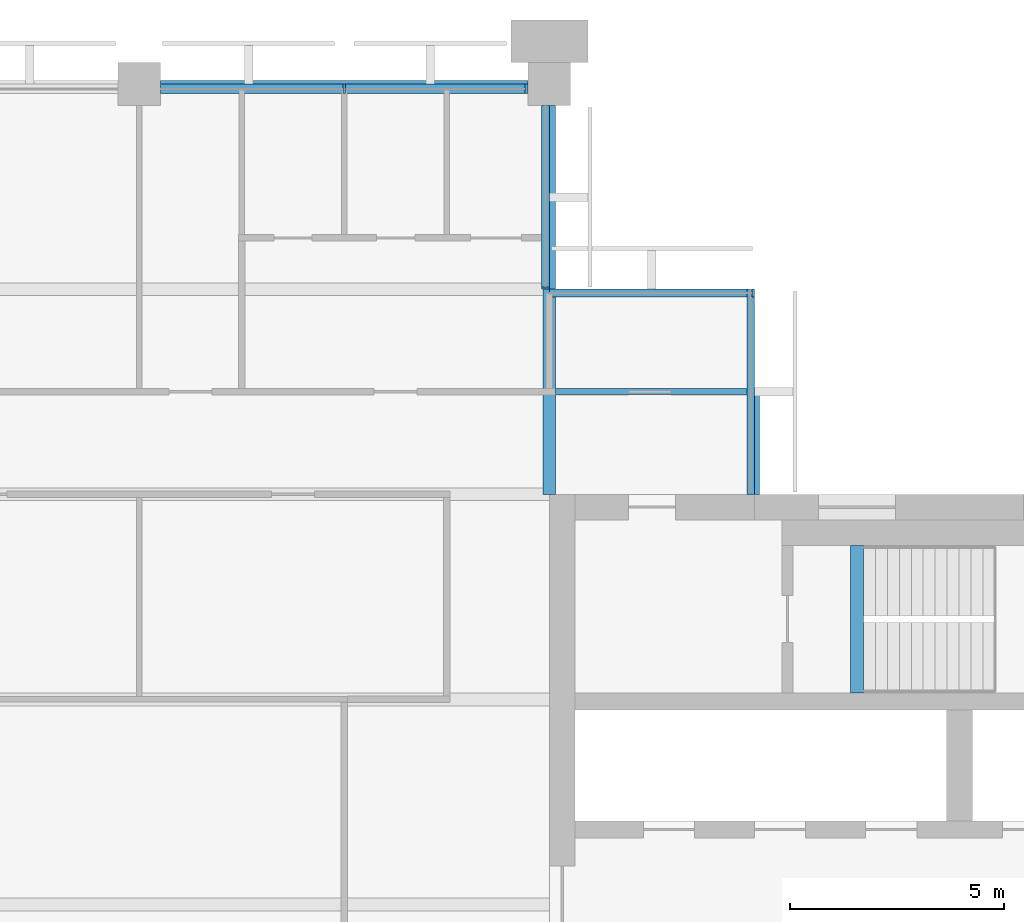
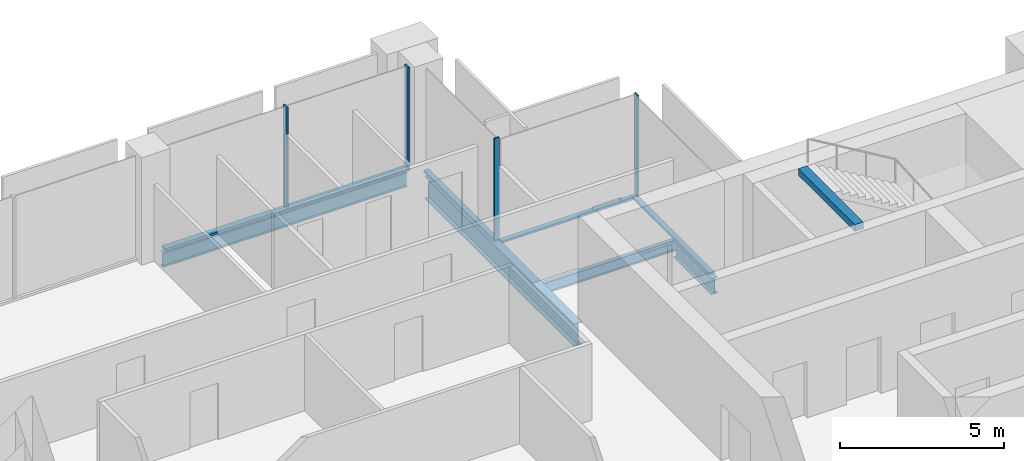
# One storey, part 6 of 13: 8 members, 5 beams, 4 elements without a shape of their own.
"""IFC4 building model written with IfcOpenShell, lengths in metres."""

from ifc_helpers import new_model, si_unit, direction, frame, origin, origin_2d, place, context, subcontext, project, spatial, rectangle, i_section, extrude, material, material_profile, profile_set, type_object, element, aggregate, save


model = new_model("IFC4")

# Units and contexts
model_context = context("Model", 3, precision=1e-05, world=origin(), true_north=direction((0.0, 1.0)))
body_context = subcontext(model_context, "Body", "Model", "MODEL_VIEW")
ifc_project = project(units=[si_unit("LENGTHUNIT", "METRE"), si_unit("AREAUNIT", "SQUARE_METRE"), si_unit("VOLUMEUNIT", "CUBIC_METRE"), si_unit("PLANEANGLEUNIT", "RADIAN"), si_unit("MASSUNIT", "GRAM", prefix="KILO")], contexts=[model_context])

# Site, building, storey
site_placement = place(None, origin())
site = spatial("IfcSite", under=ifc_project, at=site_placement, CompositionType="ELEMENT")
building_placement = place(site_placement, origin())
building = spatial("IfcBuilding", under=site, at=building_placement, Name="Baori Bourse Tower", CompositionType="ELEMENT")
storey_placement = place(building_placement, frame((0.0, 0.0, 334.300048828125)))
storey = spatial("IfcBuildingStorey", under=building, at=storey_placement, Name="L74", CompositionType="ELEMENT", Elevation=334.300048828125)

# Curtain wall, member
ifc_material_1 = material(Name="Pale anodised aluminium", Category="aluminium")
curtain_wall_type_1 = type_object("IfcCurtainWallType", Name="CW2 Curtain wall", PredefinedType="NOTDEFINED", material=ifc_material_1)
curtain_wall_1_placement = place(storey_placement, origin())
curtain_wall_1 = element("IfcCurtainWall", 1, at=curtain_wall_1_placement, inside=storey, type_object=curtain_wall_type_1, Name="Curtain wall CW2 L74 2", PredefinedType="NOTDEFINED")
ifc_material_2 = material(Name="Pale anodised aluminium", Category="aluminium")
ifc_material_profile_1 = material_profile(ifc_material_2, rectangle(XDim=0.179931640625, YDim=0.054931640625, at=origin_2d()), Name="Mullion 55x180")
ifc_profile_set_1 = profile_set([ifc_material_profile_1], Name="Pale anodised aluminium")
member_type_1 = type_object("IfcMemberType", Name="CW2 Curtain wall mullion", PredefinedType="MULLION", material=ifc_profile_set_1)
member_1_placement = place(storey_placement, frame((43.172607421875, 43.110107421875, 0.070068359375), z_axis=(0.0, 0.0, 1.0), x_axis=(0.0, -1.0, 0.0)))
member_1 = element("IfcMember", 2, at=member_1_placement, type_object=member_type_1, Name="Curtain wall CW2 mullion", PredefinedType="MULLION", context=body_context, shape_type="SweptSolid", body=[
    extrude(rectangle(XDim=0.179931640625, YDim=0.054931640625, at=origin_2d()), origin(), (0.0, 0.0, 1.0), 3.769775390625),
])

curtain_wall_2_placement = place(storey_placement, origin())
curtain_wall_2 = element("IfcCurtainWall", 3, at=curtain_wall_2_placement, inside=storey, type_object=curtain_wall_type_1, Name="Curtain wall CW2 L74 3", PredefinedType="NOTDEFINED")
member_2_placement = place(storey_placement, frame((38.31005859375, 43.2275390625, 0.070068359375), z_axis=(0.0, 0.0, 1.0), x_axis=(-1.0, 0.0, 0.0)))
member_2 = element("IfcMember", 4, at=member_2_placement, type_object=member_type_1, Name="Curtain wall CW2 mullion", PredefinedType="MULLION", context=body_context, shape_type="SweptSolid", body=[
    extrude(rectangle(XDim=0.179931640625, YDim=0.054931640625, at=origin_2d()), origin(), (0.0, 0.0, 1.0), 3.769775390625),
])

curtain_wall_3_placement = place(storey_placement, origin())
curtain_wall_3 = element("IfcCurtainWall", 5, at=curtain_wall_3_placement, inside=storey, type_object=curtain_wall_type_1, Name="Curtain wall CW2 L74 1", PredefinedType="NOTDEFINED")
ifc_material_3 = material(Name="Pale anodised aluminium", Category="aluminium")
ifc_material_profile_2 = material_profile(ifc_material_3, rectangle(XDim=0.179931640625, YDim=0.070068359375, at=origin_2d()), Name="Transom 70x180")
ifc_profile_set_2 = profile_set([ifc_material_profile_2], Name="Pale anodised aluminium")
member_type_2 = type_object("IfcMemberType", Name="CW2 Curtain wall transom", PredefinedType="USERDEFINED", material=ifc_profile_set_2)
member_3_placement = place(storey_placement, frame((43.110107421875, 38.39990234375, 0.034912109375), z_axis=(0.0, 1.0, 0.0), x_axis=(-1.0, 0.0, 0.0)))
member_3 = element("IfcMember", 6, at=member_3_placement, type_object=member_type_2, Name="Curtain wall CW2 sill rail", ObjectType="TRANSOM", PredefinedType="USERDEFINED", context=body_context, shape_type="SweptSolid", body=[
    extrude(rectangle(XDim=0.179931640625, YDim=0.070068359375, at=origin_2d()), origin(), (0.0, 0.0, 1.0), 4.800048828125),
])
aggregate(curtain_wall_3, [member_3])

# Member
member_4_placement = place(storey_placement, frame((43.199951171875, 43.110107421875, 0.034912109375), z_axis=(-1.0, 0.0, 0.0), x_axis=(0.0, -1.0, 0.0)))
member_4 = element("IfcMember", 7, at=member_4_placement, type_object=member_type_2, Name="Curtain wall CW2 sill rail", ObjectType="TRANSOM", PredefinedType="USERDEFINED", context=body_context, shape_type="SweptSolid", body=[
    extrude(rectangle(XDim=0.179931640625, YDim=0.070068359375, at=origin_2d()), origin(), (0.0, 0.0, 1.0), 4.800048828125),
])

aggregate(curtain_wall_1, [member_4, member_1])

member_5_placement = place(storey_placement, frame((38.31005859375, 43.199951171875, 0.034912109375), z_axis=(0.0, 1.0, 0.0), x_axis=(-1.0, 0.0, 0.0)))
member_5 = element("IfcMember", 8, at=member_5_placement, type_object=member_type_2, Name="Curtain wall CW2 sill rail", ObjectType="TRANSOM", PredefinedType="USERDEFINED", context=body_context, shape_type="SweptSolid", body=[
    extrude(rectangle(XDim=0.179931640625, YDim=0.070068359375, at=origin_2d()), origin(), (0.0, 0.0, 1.0), 4.300048828125),
])

aggregate(curtain_wall_2, [member_5, member_2])

# Curtain wall, members
ifc_material_4 = material(Name="Pale anodised aluminium", Category="aluminium")
curtain_wall_type_2 = type_object("IfcCurtainWallType", Name="CW5 Curtain wall", PredefinedType="NOTDEFINED", material=ifc_material_4)
curtain_wall_4_placement = place(storey_placement, origin())
curtain_wall_4 = element("IfcCurtainWall", 9, at=curtain_wall_4_placement, inside=storey, type_object=curtain_wall_type_2, Name="Curtain wall CW5 L74 4", PredefinedType="NOTDEFINED")
ifc_material_5 = material(Name="Pale anodised aluminium", Category="aluminium")
ifc_material_profile_3 = material_profile(ifc_material_5, rectangle(XDim=0.219970703125, YDim=0.06494140625, at=origin_2d()), Name="Mullion 65x220")
ifc_profile_set_3 = profile_set([ifc_material_profile_3], Name="Pale anodised aluminium")
member_type_3 = type_object("IfcMemberType", Name="CW5 Curtain wall mullion", PredefinedType="MULLION", material=ifc_profile_set_3)
member_6_placement = place(storey_placement, frame((37.867431640625, 47.889892578125, 0.0849609375), z_axis=(0.0, 0.0, 1.0), x_axis=(0.0, -1.0, 0.0)))
member_6 = element("IfcMember", 10, at=member_6_placement, type_object=member_type_3, Name="Curtain wall CW5 mullion", PredefinedType="MULLION", context=body_context, shape_type="SweptSolid", body=[
    extrude(rectangle(XDim=0.219970703125, YDim=0.06494140625, at=origin_2d()), origin(), (0.0, 0.0, 1.0), 3.7548828125),
])
member_7_placement = place(storey_placement, frame((33.60009765625, 47.889892578125, 0.0849609375), z_axis=(0.0, 0.0, 1.0), x_axis=(0.0, -1.0, 0.0)))
member_7 = element("IfcMember", 11, at=member_7_placement, type_object=member_type_3, Name="Curtain wall CW5 mullion", PredefinedType="MULLION", context=body_context, shape_type="SweptSolid", body=[
    extrude(rectangle(XDim=0.219970703125, YDim=0.06494140625, at=origin_2d()), origin(), (0.0, 0.0, 1.0), 3.7548828125),
])
ifc_material_6 = material(Name="Pale anodised aluminium", Category="aluminium")
ifc_material_profile_4 = material_profile(ifc_material_6, rectangle(XDim=0.219970703125, YDim=0.0849609375, at=origin_2d()), Name="Transom 85x220")
ifc_profile_set_4 = profile_set([ifc_material_profile_4], Name="Pale anodised aluminium")
member_type_4 = type_object("IfcMemberType", Name="CW5 Curtain wall transom", PredefinedType="USERDEFINED", material=ifc_profile_set_4)
member_8_placement = place(storey_placement, frame((37.89990234375, 47.889892578125, 0.04248046875), z_axis=(-1.0, 0.0, 0.0), x_axis=(0.0, -1.0, 0.0)))
member_8 = element("IfcMember", 12, at=member_8_placement, type_object=member_type_4, Name="Curtain wall CW5 sill rail", ObjectType="TRANSOM", PredefinedType="USERDEFINED", context=body_context, shape_type="SweptSolid", body=[
    extrude(rectangle(XDim=0.219970703125, YDim=0.0849609375, at=origin_2d()), origin(), (0.0, 0.0, 1.0), 8.599853515625),
])
aggregate(curtain_wall_4, [member_8, member_6, member_7])

# Beams
ifc_material_7 = material(Name="Steel A992 Gr 50", Category="steel")
ifc_material_profile_5 = material_profile(ifc_material_7, i_section(OverallWidth=0.227783203125, OverallDepth=0.60205078125, WebThickness=0.010498046875, FlangeThickness=0.014892578125, at=origin_2d()), Name="W24x68")
ifc_profile_set_5 = profile_set([ifc_material_profile_5], Name="Steel A992 Gr 50")
beam_type_1 = type_object("IfcBeamType", Name="Core bracket W24x68", PredefinedType="BEAM", material=ifc_profile_set_5)
beam_1_placement = place(storey_placement, frame((43.199951171875, 38.39990234375, -0.4609375), z_axis=(0.0, 1.0, 0.0), x_axis=(-1.0, 0.0, 0.0)))
element("IfcBeam", 13, at=beam_1_placement, inside=storey, type_object=beam_type_1, Name="Core bracket L74", PredefinedType="BEAM", context=body_context, shape_type="SweptSolid", body=[
    extrude(i_section(OverallWidth=0.227783203125, OverallDepth=0.60205078125, WebThickness=0.010498046875, FlangeThickness=0.014892578125, at=origin_2d()), origin(), (0.0, 0.0, 1.0), 2.329833984375),
])
ifc_material_8 = material(Name="Steel A992 Gr 50", Category="steel")
ifc_material_profile_6 = material_profile(ifc_material_8, i_section(OverallWidth=0.1650390625, OverallDepth=0.52587890625, WebThickness=0.0087890625, FlangeThickness=0.011474609375, at=origin_2d()), Name="W21x44")
ifc_profile_set_6 = profile_set([ifc_material_profile_6], Name="Steel A992 Gr 50")
beam_type_2 = type_object("IfcBeamType", Name="Edge beam W21x44", PredefinedType="BEAM", material=ifc_profile_set_6)
beam_2_placement = place(storey_placement, frame((29.300048828125, 48.0, -0.4228515625), z_axis=(1.0, 0.0, 0.0), x_axis=(0.0, 1.0, 0.0)))
element("IfcBeam", 14, at=beam_2_placement, inside=storey, type_object=beam_type_2, Name="Edge beam L74", PredefinedType="BEAM", context=body_context, shape_type="SweptSolid", body=[
    extrude(i_section(OverallWidth=0.1650390625, OverallDepth=0.52587890625, WebThickness=0.0087890625, FlangeThickness=0.011474609375, at=origin_2d()), origin(), (0.0, 0.0, 1.0), 8.599853515625),
])
ifc_material_9 = material(Name="Steel A992 Gr 50", Category="steel")
ifc_material_profile_7 = material_profile(ifc_material_9, i_section(OverallWidth=0.2919921875, OverallDepth=0.835693359375, WebThickness=0.013916015625, FlangeThickness=0.018798828125, at=origin_2d()), Name="W33x118")
ifc_profile_set_7 = profile_set([ifc_material_profile_7], Name="Steel A992 Gr 50")
beam_type_3 = type_object("IfcBeamType", Name="Girder W33x118", PredefinedType="BEAM", material=ifc_profile_set_7)
beam_3_placement = place(storey_placement, frame((38.39990234375, 38.39990234375, -0.577880859375), z_axis=(0.0, 1.0, 0.0), x_axis=(-1.0, 0.0, 0.0)))
element("IfcBeam", 15, at=beam_3_placement, inside=storey, type_object=beam_type_3, Name="Girder L74", PredefinedType="BEAM", context=body_context, shape_type="SweptSolid", body=[
    extrude(i_section(OverallWidth=0.2919921875, OverallDepth=0.835693359375, WebThickness=0.013916015625, FlangeThickness=0.018798828125, at=origin_2d()), origin(), (0.0, 0.0, 1.0), 9.10009765625),
])
ifc_material_10 = material(Name="Concrete f'c 50 MPa", Category="concrete")
ifc_material_profile_8 = material_profile(ifc_material_10, rectangle(XDim=0.300048828125, YDim=0.25, at=origin_2d()), Name="RC 300x250")
ifc_profile_set_8 = profile_set([ifc_material_profile_8], Name="Concrete f'c 50 MPa")
beam_type_4 = type_object("IfcBeamType", Name="Stair nib beam RC 300x250", PredefinedType="BEAM", material=ifc_profile_set_8)
beam_4_placement = place(storey_placement, frame((45.60009765625, 33.75, 3.71484375), z_axis=(0.0, 1.0, 0.0), x_axis=(-1.0, 0.0, 0.0)))
element("IfcBeam", 16, at=beam_4_placement, inside=storey, type_object=beam_type_4, Name="Stair EB nib beam L75", PredefinedType="BEAM", context=body_context, shape_type="SweptSolid", body=[
    extrude(rectangle(XDim=0.300048828125, YDim=0.25, at=origin_2d()), origin(), (0.0, 0.0, 1.0), 3.449951171875),
])
ifc_material_11 = material(Name="Steel A992 Gr 50", Category="steel")
ifc_material_profile_9 = material_profile(ifc_material_11, i_section(OverallWidth=0.140380859375, OverallDepth=0.40380859375, WebThickness=0.007080078125, FlangeThickness=0.01123046875, at=origin_2d()), Name="W16x31")
ifc_profile_set_9 = profile_set([ifc_material_profile_9], Name="Steel A992 Gr 50")
beam_type_5 = type_object("IfcBeamType", Name="Trimmer beam W16x31", PredefinedType="BEAM", material=ifc_profile_set_9)
beam_5_placement = place(storey_placement, frame((38.546142578125, 40.800048828125, -0.362060546875), z_axis=(1.0, 0.0, 0.0), x_axis=(0.0, 1.0, 0.0)))
element("IfcBeam", 17, at=beam_5_placement, inside=storey, type_object=beam_type_5, Name="Trimmer beam L74", PredefinedType="BEAM", context=body_context, shape_type="SweptSolid", body=[
    extrude(i_section(OverallWidth=0.140380859375, OverallDepth=0.40380859375, WebThickness=0.007080078125, FlangeThickness=0.01123046875, at=origin_2d()), origin(), (0.0, 0.0, 1.0), 4.65380859375),
])

save(model, "model.ifc")
